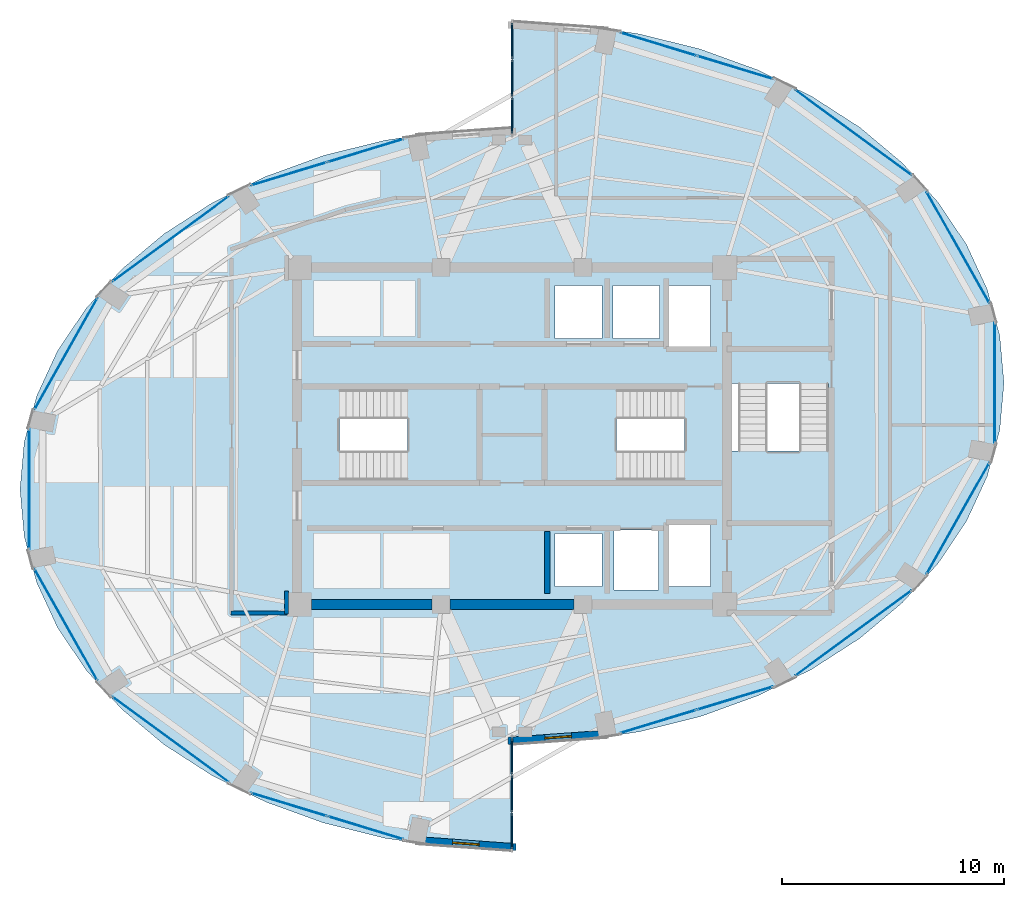
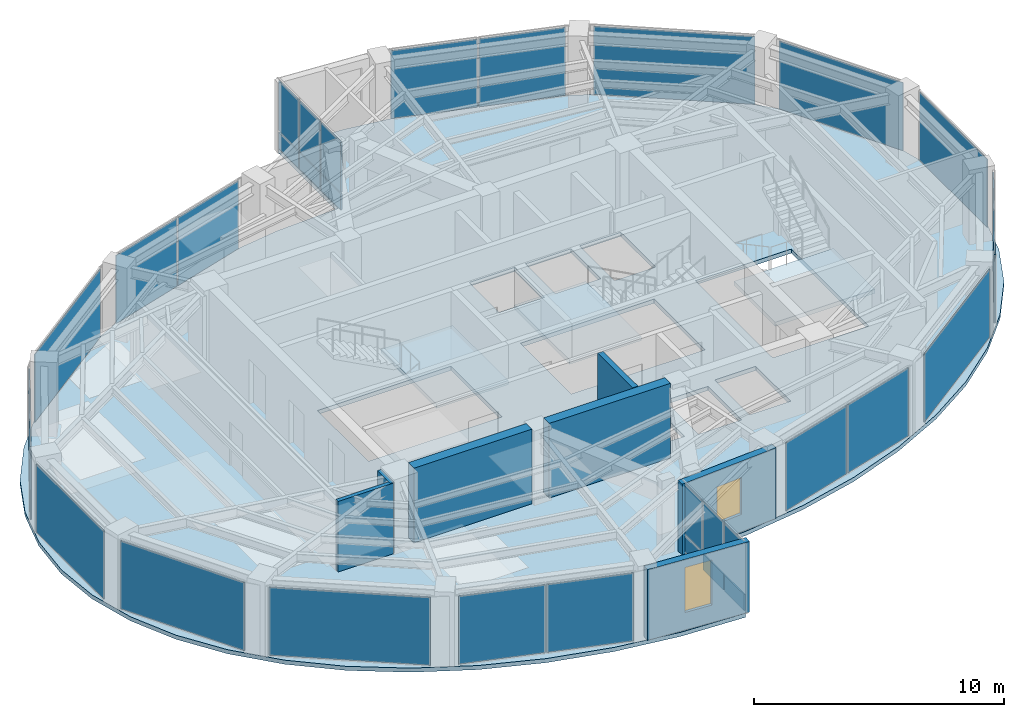
# One storey, part 18 of 22: 30 plates, 7 walls, 4 slabs, 2 windows, 2 openings, 19 elements without a shape of their own.
"""IFC4 building model written with IfcOpenShell, lengths in metres."""

from ifc_helpers import new_model, si_unit, direction, frame, frame_2d, origin, origin_2d, place, context, subcontext, project, spatial, polyline, rectangle, outline, extrude, material, layer, layer_set, type_object, element, fill, aggregate, save


model = new_model("IFC4")

# Units and contexts
model_context = context("Model", 3, precision=1e-05, world=origin(), true_north=direction((0.0, 1.0)))
body_context = subcontext(model_context, "Body", "Model", "MODEL_VIEW")
ifc_project = project(units=[si_unit("LENGTHUNIT", "METRE"), si_unit("AREAUNIT", "SQUARE_METRE"), si_unit("VOLUMEUNIT", "CUBIC_METRE"), si_unit("PLANEANGLEUNIT", "RADIAN"), si_unit("MASSUNIT", "GRAM", prefix="KILO")], contexts=[model_context])

# Site, building, storey
site_placement = place(None, origin())
site = spatial("IfcSite", under=ifc_project, at=site_placement, CompositionType="ELEMENT")
building_placement = place(site_placement, origin())
building = spatial("IfcBuilding", under=site, at=building_placement, Name="Lazwardi Medical Tower", CompositionType="ELEMENT")
storey_placement = place(building_placement, frame((0.0, 0.0, 251.3759765625)))
storey = spatial("IfcBuildingStorey", under=building, at=storey_placement, Name="L65", CompositionType="ELEMENT", Elevation=251.3759765625)

# Curtain wall, plates
ifc_material_1 = material(Name="Anodised bronze aluminium and solar control glazing", Category="aluminium")
ifc_layer_1 = layer(ifc_material_1, 0.18994140625)
ifc_layer_set_1 = layer_set([ifc_layer_1], Name="Anodised bronze aluminium and solar control glazing")
curtain_wall_type_1 = type_object("IfcCurtainWallType", Name="CW-SYS-04", PredefinedType="NOTDEFINED", material=ifc_layer_set_1)
curtain_wall_1_placement = place(storey_placement, origin())
curtain_wall_1 = element("IfcCurtainWall", 1, at=curtain_wall_1_placement, inside=storey, type_object=curtain_wall_type_1, Name="L65 Unitised bronze curtain wall CW-04", PredefinedType="NOTDEFINED")
ifc_material_2 = material(Name="Low-e bronze solar control double glazing", Category="glass")
ifc_layer_2 = layer(ifc_material_2, 0.035888671875)
ifc_layer_set_2 = layer_set([ifc_layer_2], Name="Low-e bronze solar control double glazing")
plate_type_1 = type_object("IfcPlateType", Name="PLT-GLZ-01", PredefinedType="CURTAIN_PANEL", material=ifc_layer_set_2)
plate_1_placement = place(storey_placement, frame((42.604736328125, 15.118896484375, 0.06494140625), z_axis=(0.0, 0.0, 1.0), x_axis=(0.956850126972, 0.290581889515, 0.0)))
plate_1 = element("IfcPlate", 2, at=plate_1_placement, type_object=plate_type_1, Name="CW-04 panel 1.1", PredefinedType="CURTAIN_PANEL", context=body_context, shape_type="SweptSolid", body=[
    extrude(rectangle(XDim=3.554443359375, YDim=0.035888671875, at=origin_2d()), origin(), (0.0, 0.0, 1.0), 3.318115234375),
])
plate_2_placement = place(storey_placement, frame((46.068115234375, 16.170654296875, 0.06494140625), z_axis=(0.0, 0.0, 1.0), x_axis=(0.956850126972, 0.290581889515, 0.0)))
plate_2 = element("IfcPlate", 3, at=plate_2_placement, type_object=plate_type_1, Name="CW-04 panel 2.1", PredefinedType="CURTAIN_PANEL", context=body_context, shape_type="SweptSolid", body=[
    extrude(rectangle(XDim=3.554443359375, YDim=0.035888671875, at=origin_2d()), origin(), (0.0, 0.0, 1.0), 3.318115234375),
])
aggregate(curtain_wall_1, [plate_1, plate_2])

# Curtain wall, plate
curtain_wall_2_placement = place(storey_placement, origin())
curtain_wall_2 = element("IfcCurtainWall", 4, at=curtain_wall_2_placement, inside=storey, type_object=curtain_wall_type_1, Name="L65 Unitised bronze curtain wall CW-04", PredefinedType="NOTDEFINED")
plate_3_placement = place(storey_placement, frame((51.403564453125, 19.106689453125, 0.06494140625), z_axis=(0.0, 0.0, 1.0), x_axis=(0.806474971121, 0.591268230971, 0.0)))
plate_3 = element("IfcPlate", 5, at=plate_3_placement, type_object=plate_type_1, Name="CW-04 panel 1.1", PredefinedType="CURTAIN_PANEL", context=body_context, shape_type="SweptSolid", body=[
    extrude(rectangle(XDim=6.502685546875, YDim=0.035888671875, at=origin_2d()), origin(), (0.0, 0.0, 1.0), 3.318115234375),
])
aggregate(curtain_wall_2, [plate_3])

curtain_wall_3_placement = place(storey_placement, origin())
curtain_wall_3 = element("IfcCurtainWall", 6, at=curtain_wall_3_placement, inside=storey, type_object=curtain_wall_type_1, Name="L65 Unitised bronze curtain wall CW-04", PredefinedType="NOTDEFINED")
plate_4_placement = place(storey_placement, frame((56.125732421875, 24.2880859375, 0.06494140625), z_axis=(0.0, 0.0, 1.0), x_axis=(0.491900474661, 0.870651436011, 0.0)))
plate_4 = element("IfcPlate", 7, at=plate_4_placement, type_object=plate_type_1, Name="CW-04 panel 1.1", PredefinedType="CURTAIN_PANEL", context=body_context, shape_type="SweptSolid", body=[
    extrude(rectangle(XDim=5.755126953125, YDim=0.035888671875, at=origin_2d()), origin(), (0.0, 0.0, 1.0), 3.318115234375),
])
aggregate(curtain_wall_3, [plate_4])

curtain_wall_4_placement = place(storey_placement, origin())
curtain_wall_4 = element("IfcCurtainWall", 8, at=curtain_wall_4_placement, inside=storey, type_object=curtain_wall_type_1, Name="L65 Unitised bronze curtain wall CW-04", PredefinedType="NOTDEFINED")
plate_5_placement = place(storey_placement, frame((57.7841796875, 30.39990234375, 0.06494140625), z_axis=(0.0, 0.0, 1.0), x_axis=(0.0, 1.0, 0.0)))
plate_5 = element("IfcPlate", 9, at=plate_5_placement, type_object=plate_type_1, Name="CW-04 panel 1.1", PredefinedType="CURTAIN_PANEL", context=body_context, shape_type="SweptSolid", body=[
    extrude(rectangle(XDim=5.416015625, YDim=0.035888671875, at=origin_2d()), origin(), (0.0, 0.0, 1.0), 3.318115234375),
])
aggregate(curtain_wall_4, [plate_5])

curtain_wall_5_placement = place(storey_placement, origin())
curtain_wall_5 = element("IfcCurtainWall", 10, at=curtain_wall_5_placement, inside=storey, type_object=curtain_wall_type_1, Name="L65 Unitised bronze curtain wall CW-04", PredefinedType="NOTDEFINED")
plate_6_placement = place(storey_placement, frame((56.125732421875, 36.511962890625, 0.06494140625), z_axis=(0.0, 0.0, 1.0), x_axis=(-0.491900474661, 0.870651436011, 0.0)))
plate_6 = element("IfcPlate", 11, at=plate_6_placement, type_object=plate_type_1, Name="CW-04 panel 1.1", PredefinedType="CURTAIN_PANEL", context=body_context, shape_type="SweptSolid", body=[
    extrude(rectangle(XDim=5.755126953125, YDim=0.035888671875, at=origin_2d()), origin(), (0.0, 0.0, 1.0), 3.318115234375),
])
aggregate(curtain_wall_5, [plate_6])

curtain_wall_6_placement = place(storey_placement, origin())
curtain_wall_6 = element("IfcCurtainWall", 12, at=curtain_wall_6_placement, inside=storey, type_object=curtain_wall_type_1, Name="L65 Unitised bronze curtain wall CW-04", PredefinedType="NOTDEFINED")
plate_7_placement = place(storey_placement, frame((51.403564453125, 41.693359375, 0.06494140625), z_axis=(0.0, 0.0, 1.0), x_axis=(-0.806474971121, 0.591268230971, 0.0)))
plate_7 = element("IfcPlate", 13, at=plate_7_placement, type_object=plate_type_1, Name="CW-04 panel 1.1", PredefinedType="CURTAIN_PANEL", context=body_context, shape_type="SweptSolid", body=[
    extrude(rectangle(XDim=6.502685546875, YDim=0.035888671875, at=origin_2d()), origin(), (0.0, 0.0, 1.0), 3.318115234375),
])
aggregate(curtain_wall_6, [plate_7])

# Curtain wall, plates
curtain_wall_7_placement = place(storey_placement, origin())
curtain_wall_7 = element("IfcCurtainWall", 14, at=curtain_wall_7_placement, inside=storey, type_object=curtain_wall_type_1, Name="L65 Unitised bronze curtain wall CW-04", PredefinedType="NOTDEFINED")
plate_8_placement = place(storey_placement, frame((46.068115234375, 44.62939453125, 0.06494140625), z_axis=(0.0, 0.0, 1.0), x_axis=(-0.956850126972, 0.290581889515, 0.0)))
plate_8 = element("IfcPlate", 15, at=plate_8_placement, type_object=plate_type_1, Name="CW-04 panel 1.1", PredefinedType="CURTAIN_PANEL", context=body_context, shape_type="SweptSolid", body=[
    extrude(rectangle(XDim=3.554443359375, YDim=0.035888671875, at=origin_2d()), origin(), (0.0, 0.0, 1.0), 3.318115234375),
])
plate_9_placement = place(storey_placement, frame((42.604736328125, 45.68115234375, 0.06494140625), z_axis=(0.0, 0.0, 1.0), x_axis=(-0.956850126972, 0.290581889515, 0.0)))
plate_9 = element("IfcPlate", 16, at=plate_9_placement, type_object=plate_type_1, Name="CW-04 panel 2.1", PredefinedType="CURTAIN_PANEL", context=body_context, shape_type="SweptSolid", body=[
    extrude(rectangle(XDim=3.554443359375, YDim=0.035888671875, at=origin_2d()), origin(), (0.0, 0.0, 1.0), 3.318115234375),
])
aggregate(curtain_wall_7, [plate_8, plate_9])

curtain_wall_8_placement = place(storey_placement, origin())
curtain_wall_8 = element("IfcCurtainWall", 17, at=curtain_wall_8_placement, inside=storey, type_object=curtain_wall_type_1, Name="L65 Unitised bronze curtain wall CW-04", PredefinedType="NOTDEFINED")
plate_10_placement = place(storey_placement, frame((29.395263671875, 40.881103515625, 0.06494140625), z_axis=(0.0, 0.0, 1.0), x_axis=(-0.956850126972, -0.290581889515, 0.0)))
plate_10 = element("IfcPlate", 18, at=plate_10_placement, type_object=plate_type_1, Name="CW-04 panel 1.1", PredefinedType="CURTAIN_PANEL", context=body_context, shape_type="SweptSolid", body=[
    extrude(rectangle(XDim=3.554443359375, YDim=0.035888671875, at=origin_2d()), origin(), (0.0, 0.0, 1.0), 3.318115234375),
])
plate_11_placement = place(storey_placement, frame((25.931884765625, 39.829345703125, 0.06494140625), z_axis=(0.0, 0.0, 1.0), x_axis=(-0.956850126972, -0.290581889515, 0.0)))
plate_11 = element("IfcPlate", 19, at=plate_11_placement, type_object=plate_type_1, Name="CW-04 panel 2.1", PredefinedType="CURTAIN_PANEL", context=body_context, shape_type="SweptSolid", body=[
    extrude(rectangle(XDim=3.554443359375, YDim=0.035888671875, at=origin_2d()), origin(), (0.0, 0.0, 1.0), 3.318115234375),
])
aggregate(curtain_wall_8, [plate_10, plate_11])

# Curtain wall, plate
curtain_wall_9_placement = place(storey_placement, origin())
curtain_wall_9 = element("IfcCurtainWall", 20, at=curtain_wall_9_placement, inside=storey, type_object=curtain_wall_type_1, Name="L65 Unitised bronze curtain wall CW-04", PredefinedType="NOTDEFINED")
plate_12_placement = place(storey_placement, frame((20.596435546875, 36.893310546875, 0.06494140625), z_axis=(0.0, 0.0, 1.0), x_axis=(-0.806474971121, -0.591268230971, 0.0)))
plate_12 = element("IfcPlate", 21, at=plate_12_placement, type_object=plate_type_1, Name="CW-04 panel 1.1", PredefinedType="CURTAIN_PANEL", context=body_context, shape_type="SweptSolid", body=[
    extrude(rectangle(XDim=6.502685546875, YDim=0.035888671875, at=origin_2d()), origin(), (0.0, 0.0, 1.0), 3.318115234375),
])
aggregate(curtain_wall_9, [plate_12])

curtain_wall_10_placement = place(storey_placement, origin())
curtain_wall_10 = element("IfcCurtainWall", 22, at=curtain_wall_10_placement, inside=storey, type_object=curtain_wall_type_1, Name="L65 Unitised bronze curtain wall CW-04", PredefinedType="NOTDEFINED")
plate_13_placement = place(storey_placement, frame((15.874267578125, 31.7119140625, 0.06494140625), z_axis=(0.0, 0.0, 1.0), x_axis=(-0.491900474661, -0.870651436011, 0.0)))
plate_13 = element("IfcPlate", 23, at=plate_13_placement, type_object=plate_type_1, Name="CW-04 panel 1.1", PredefinedType="CURTAIN_PANEL", context=body_context, shape_type="SweptSolid", body=[
    extrude(rectangle(XDim=5.755126953125, YDim=0.035888671875, at=origin_2d()), origin(), (0.0, 0.0, 1.0), 3.318115234375),
])
aggregate(curtain_wall_10, [plate_13])

curtain_wall_11_placement = place(storey_placement, origin())
curtain_wall_11 = element("IfcCurtainWall", 24, at=curtain_wall_11_placement, inside=storey, type_object=curtain_wall_type_1, Name="L65 Unitised bronze curtain wall CW-04", PredefinedType="NOTDEFINED")
plate_14_placement = place(storey_placement, frame((14.2158203125, 25.60009765625, 0.06494140625), z_axis=(0.0, 0.0, 1.0), x_axis=(0.0, -1.0, 0.0)))
plate_14 = element("IfcPlate", 25, at=plate_14_placement, type_object=plate_type_1, Name="CW-04 panel 1.1", PredefinedType="CURTAIN_PANEL", context=body_context, shape_type="SweptSolid", body=[
    extrude(rectangle(XDim=5.416015625, YDim=0.035888671875, at=origin_2d()), origin(), (0.0, 0.0, 1.0), 3.318115234375),
])
aggregate(curtain_wall_11, [plate_14])

curtain_wall_12_placement = place(storey_placement, origin())
curtain_wall_12 = element("IfcCurtainWall", 26, at=curtain_wall_12_placement, inside=storey, type_object=curtain_wall_type_1, Name="L65 Unitised bronze curtain wall CW-04", PredefinedType="NOTDEFINED")
plate_15_placement = place(storey_placement, frame((15.874267578125, 19.488037109375, 0.06494140625), z_axis=(0.0, 0.0, 1.0), x_axis=(0.491900474661, -0.870651436011, 0.0)))
plate_15 = element("IfcPlate", 27, at=plate_15_placement, type_object=plate_type_1, Name="CW-04 panel 1.1", PredefinedType="CURTAIN_PANEL", context=body_context, shape_type="SweptSolid", body=[
    extrude(rectangle(XDim=5.755126953125, YDim=0.035888671875, at=origin_2d()), origin(), (0.0, 0.0, 1.0), 3.318115234375),
])
aggregate(curtain_wall_12, [plate_15])

curtain_wall_13_placement = place(storey_placement, origin())
curtain_wall_13 = element("IfcCurtainWall", 28, at=curtain_wall_13_placement, inside=storey, type_object=curtain_wall_type_1, Name="L65 Unitised bronze curtain wall CW-04", PredefinedType="NOTDEFINED")
plate_16_placement = place(storey_placement, frame((20.596435546875, 14.306640625, 0.06494140625), z_axis=(0.0, 0.0, 1.0), x_axis=(0.806474971121, -0.591268230971, 0.0)))
plate_16 = element("IfcPlate", 29, at=plate_16_placement, type_object=plate_type_1, Name="CW-04 panel 1.1", PredefinedType="CURTAIN_PANEL", context=body_context, shape_type="SweptSolid", body=[
    extrude(rectangle(XDim=6.502685546875, YDim=0.035888671875, at=origin_2d()), origin(), (0.0, 0.0, 1.0), 3.318115234375),
])
aggregate(curtain_wall_13, [plate_16])

# Curtain wall, plates
curtain_wall_14_placement = place(storey_placement, origin())
curtain_wall_14 = element("IfcCurtainWall", 30, at=curtain_wall_14_placement, inside=storey, type_object=curtain_wall_type_1, Name="L65 Unitised bronze curtain wall CW-04", PredefinedType="NOTDEFINED")
plate_17_placement = place(storey_placement, frame((25.931884765625, 11.37060546875, 0.06494140625), z_axis=(0.0, 0.0, 1.0), x_axis=(0.956850126972, -0.290581889515, 0.0)))
plate_17 = element("IfcPlate", 31, at=plate_17_placement, type_object=plate_type_1, Name="CW-04 panel 1.1", PredefinedType="CURTAIN_PANEL", context=body_context, shape_type="SweptSolid", body=[
    extrude(rectangle(XDim=3.554443359375, YDim=0.035888671875, at=origin_2d()), origin(), (0.0, 0.0, 1.0), 3.318115234375),
])
plate_18_placement = place(storey_placement, frame((29.395263671875, 10.31884765625, 0.06494140625), z_axis=(0.0, 0.0, 1.0), x_axis=(0.956850126972, -0.290581889515, 0.0)))
plate_18 = element("IfcPlate", 32, at=plate_18_placement, type_object=plate_type_1, Name="CW-04 panel 2.1", PredefinedType="CURTAIN_PANEL", context=body_context, shape_type="SweptSolid", body=[
    extrude(rectangle(XDim=3.554443359375, YDim=0.035888671875, at=origin_2d()), origin(), (0.0, 0.0, 1.0), 3.318115234375),
])
aggregate(curtain_wall_14, [plate_17, plate_18])

ifc_layer_3 = layer(ifc_material_1, 0.2099609375)
ifc_layer_set_3 = layer_set([ifc_layer_3], Name="Anodised bronze aluminium and solar control glazing")
curtain_wall_type_2 = type_object("IfcCurtainWallType", Name="CW-SYS-06", PredefinedType="NOTDEFINED", material=ifc_layer_set_3)
curtain_wall_15_placement = place(storey_placement, origin())
curtain_wall_15 = element("IfcCurtainWall", 33, at=curtain_wall_15_placement, inside=storey, type_object=curtain_wall_type_2, Name="L65 Unitised bronze curtain wall CW-06", PredefinedType="NOTDEFINED")
ifc_material_3 = material(Name="Turquoise glazed ceramic insulated panel", Category="glass")
ifc_layer_4 = layer(ifc_material_3, 0.053955078125)
ifc_layer_set_4 = layer_set([ifc_layer_4], Name="Turquoise glazed ceramic insulated panel")
plate_type_2 = type_object("IfcPlateType", Name="PLT-TRQ-01", PredefinedType="CURTAIN_PANEL", material=ifc_layer_set_4)
plate_19_placement = place(storey_placement, frame((36.0, 45.827880859375, 0.074951171875), z_axis=(0.0, 0.0, 1.0), x_axis=(0.0, -1.0, 0.0)))
plate_19 = element("IfcPlate", 34, at=plate_19_placement, type_object=plate_type_2, Name="CW-06 panel 1.1", PredefinedType="CURTAIN_PANEL", context=body_context, shape_type="SweptSolid", body=[
    extrude(rectangle(XDim=1.59423828125, YDim=0.053955078125, at=origin_2d()), origin(), (0.0, 0.0, 1.0), 0.78759765625),
])
plate_20_placement = place(storey_placement, frame((36.0, 45.827880859375, 0.9375), z_axis=(0.0, 0.0, 1.0), x_axis=(0.0, -1.0, 0.0)))
plate_20 = element("IfcPlate", 35, at=plate_20_placement, type_object=plate_type_2, Name="CW-06 panel 1.2", PredefinedType="CURTAIN_PANEL", context=body_context, shape_type="SweptSolid", body=[
    extrude(rectangle(XDim=1.59423828125, YDim=0.053955078125, at=origin_2d()), origin(), (0.0, 0.0, 1.0), 2.435546875),
])
plate_21_placement = place(storey_placement, frame((36.0, 44.139892578125, 0.074951171875), z_axis=(0.0, 0.0, 1.0), x_axis=(0.0, -1.0, 0.0)))
plate_21 = element("IfcPlate", 36, at=plate_21_placement, type_object=plate_type_2, Name="CW-06 panel 2.1", PredefinedType="CURTAIN_PANEL", context=body_context, shape_type="SweptSolid", body=[
    extrude(rectangle(XDim=1.631591796875, YDim=0.053955078125, at=origin_2d()), origin(), (0.0, 0.0, 1.0), 0.78759765625),
])
plate_22_placement = place(storey_placement, frame((36.0, 44.139892578125, 0.9375), z_axis=(0.0, 0.0, 1.0), x_axis=(0.0, -1.0, 0.0)))
plate_22 = element("IfcPlate", 37, at=plate_22_placement, type_object=plate_type_2, Name="CW-06 panel 2.2", PredefinedType="CURTAIN_PANEL", context=body_context, shape_type="SweptSolid", body=[
    extrude(rectangle(XDim=1.631591796875, YDim=0.053955078125, at=origin_2d()), origin(), (0.0, 0.0, 1.0), 2.435546875),
])
plate_23_placement = place(storey_placement, frame((36.0, 42.4521484375, 0.074951171875), z_axis=(0.0, 0.0, 1.0), x_axis=(0.0, -1.0, 0.0)))
plate_23 = element("IfcPlate", 38, at=plate_23_placement, type_object=plate_type_2, Name="CW-06 panel 3.1", PredefinedType="CURTAIN_PANEL", context=body_context, shape_type="SweptSolid", body=[
    extrude(rectangle(XDim=1.59423828125, YDim=0.053955078125, at=origin_2d()), origin(), (0.0, 0.0, 1.0), 0.78759765625),
])
plate_24_placement = place(storey_placement, frame((36.0, 42.4521484375, 0.9375), z_axis=(0.0, 0.0, 1.0), x_axis=(0.0, -1.0, 0.0)))
plate_24 = element("IfcPlate", 39, at=plate_24_placement, type_object=plate_type_2, Name="CW-06 panel 3.2", PredefinedType="CURTAIN_PANEL", context=body_context, shape_type="SweptSolid", body=[
    extrude(rectangle(XDim=1.59423828125, YDim=0.053955078125, at=origin_2d()), origin(), (0.0, 0.0, 1.0), 2.435546875),
])
aggregate(curtain_wall_15, [plate_19, plate_20, plate_21, plate_22, plate_23, plate_24])

curtain_wall_16_placement = place(storey_placement, origin())
curtain_wall_16 = element("IfcCurtainWall", 40, at=curtain_wall_16_placement, inside=storey, type_object=curtain_wall_type_2, Name="L65 Unitised bronze curtain wall CW-06", PredefinedType="NOTDEFINED")
plate_25_placement = place(storey_placement, frame((36.0, 10.172119140625, 0.074951171875), z_axis=(0.0, 0.0, 1.0), x_axis=(0.0, 1.0, 0.0)))
plate_25 = element("IfcPlate", 41, at=plate_25_placement, type_object=plate_type_2, Name="CW-06 panel 1.1", PredefinedType="CURTAIN_PANEL", context=body_context, shape_type="SweptSolid", body=[
    extrude(rectangle(XDim=1.59423828125, YDim=0.053955078125, at=origin_2d()), origin(), (0.0, 0.0, 1.0), 0.78759765625),
])
plate_26_placement = place(storey_placement, frame((36.0, 10.172119140625, 0.9375), z_axis=(0.0, 0.0, 1.0), x_axis=(0.0, 1.0, 0.0)))
plate_26 = element("IfcPlate", 42, at=plate_26_placement, type_object=plate_type_2, Name="CW-06 panel 1.2", PredefinedType="CURTAIN_PANEL", context=body_context, shape_type="SweptSolid", body=[
    extrude(rectangle(XDim=1.59423828125, YDim=0.053955078125, at=origin_2d()), origin(), (0.0, 0.0, 1.0), 2.435546875),
])
plate_27_placement = place(storey_placement, frame((36.0, 11.860107421875, 0.074951171875), z_axis=(0.0, 0.0, 1.0), x_axis=(0.0, 1.0, 0.0)))
plate_27 = element("IfcPlate", 43, at=plate_27_placement, type_object=plate_type_2, Name="CW-06 panel 2.1", PredefinedType="CURTAIN_PANEL", context=body_context, shape_type="SweptSolid", body=[
    extrude(rectangle(XDim=1.631591796875, YDim=0.053955078125, at=origin_2d()), origin(), (0.0, 0.0, 1.0), 0.78759765625),
])
plate_28_placement = place(storey_placement, frame((36.0, 11.860107421875, 0.9375), z_axis=(0.0, 0.0, 1.0), x_axis=(0.0, 1.0, 0.0)))
plate_28 = element("IfcPlate", 44, at=plate_28_placement, type_object=plate_type_2, Name="CW-06 panel 2.2", PredefinedType="CURTAIN_PANEL", context=body_context, shape_type="SweptSolid", body=[
    extrude(rectangle(XDim=1.631591796875, YDim=0.053955078125, at=origin_2d()), origin(), (0.0, 0.0, 1.0), 2.435546875),
])
plate_29_placement = place(storey_placement, frame((36.0, 13.5478515625, 0.074951171875), z_axis=(0.0, 0.0, 1.0), x_axis=(0.0, 1.0, 0.0)))
plate_29 = element("IfcPlate", 45, at=plate_29_placement, type_object=plate_type_2, Name="CW-06 panel 3.1", PredefinedType="CURTAIN_PANEL", context=body_context, shape_type="SweptSolid", body=[
    extrude(rectangle(XDim=1.59423828125, YDim=0.053955078125, at=origin_2d()), origin(), (0.0, 0.0, 1.0), 0.78759765625),
])
plate_30_placement = place(storey_placement, frame((36.0, 13.5478515625, 0.9375), z_axis=(0.0, 0.0, 1.0), x_axis=(0.0, 1.0, 0.0)))
plate_30 = element("IfcPlate", 46, at=plate_30_placement, type_object=plate_type_2, Name="CW-06 panel 3.2", PredefinedType="CURTAIN_PANEL", context=body_context, shape_type="SweptSolid", body=[
    extrude(rectangle(XDim=1.59423828125, YDim=0.053955078125, at=origin_2d()), origin(), (0.0, 0.0, 1.0), 2.435546875),
])
aggregate(curtain_wall_16, [plate_25, plate_26, plate_27, plate_28, plate_29, plate_30])

# Stair, slab
ifc_material_4 = material(Name="Concrete C45/55", Category="concrete")
stair_type = type_object("IfcStairType", Name="STR-WRD", PredefinedType="HALF_TURN_STAIR", material=ifc_material_4)
stair_1_placement = place(storey_placement, origin())
stair_1 = element("IfcStair", 47, at=stair_1_placement, inside=storey, type_object=stair_type, Name="L65 Protected Exit Stair ST1", PredefinedType="HALF_TURN_STAIR")
ifc_layer_5 = layer(ifc_material_4, 0.199951171875)
ifc_layer_set_5 = layer_set([ifc_layer_5], Name="Concrete C45/55")
slab_type_1 = type_object("IfcSlabType", Name="SLB-LND-190", PredefinedType="LANDING", material=ifc_layer_set_5)
slab_1_placement = place(storey_placement, frame((0.0, 0.0, 1.6240234375)))
slab_1 = element("IfcSlab", 48, at=slab_1_placement, type_object=slab_type_1, Name="ST1 landing 1", PredefinedType="LANDING", context=body_context, shape_type="SweptSolid", body=[
    extrude(outline(polyline([(31.27490234375, 25.840087890625), (34.580078125, 25.840087890625), (34.580078125, 30.280029296875), (31.27490234375, 30.280029296875), (31.27490234375, 25.840087890625)])), origin(), (0.0, 0.0, 1.0), 0.199951171875),
])
aggregate(stair_1, [slab_1])

stair_2_placement = place(storey_placement, origin())
stair_2 = element("IfcStair", 49, at=stair_2_placement, inside=storey, type_object=stair_type, Name="L65 Protected Exit Stair ST2", PredefinedType="HALF_TURN_STAIR")
slab_2_placement = place(storey_placement, frame((0.0, 0.0, 1.6240234375)))
slab_2 = element("IfcSlab", 50, at=slab_2_placement, type_object=slab_type_1, Name="ST2 landing 1", PredefinedType="LANDING", context=body_context, shape_type="SweptSolid", body=[
    extrude(outline(polyline([(40.72509765625, 30.280029296875), (37.419921875, 30.280029296875), (37.419921875, 25.840087890625), (40.72509765625, 25.840087890625), (40.72509765625, 30.280029296875)])), origin(), (0.0, 0.0, 1.0), 0.199951171875),
])
aggregate(stair_2, [slab_2])

stair_3_placement = place(storey_placement, origin())
stair_3 = element("IfcStair", 51, at=stair_3_placement, inside=storey, type_object=stair_type, Name="L65 Protected Exit Stair ST3", PredefinedType="HALF_TURN_STAIR")
slab_3_placement = place(storey_placement, frame((0.0, 0.0, 1.6240234375)))
slab_3 = element("IfcSlab", 52, at=slab_3_placement, type_object=slab_type_1, Name="ST3 landing 1", PredefinedType="LANDING", context=body_context, shape_type="SweptSolid", body=[
    extrude(outline(polyline([(45.860107421875, 27.324951171875), (45.860107421875, 24.02001953125), (50.4599609375, 24.02001953125), (50.4599609375, 27.324951171875), (45.860107421875, 27.324951171875)])), origin(), (0.0, 0.0, 1.0), 0.199951171875),
])
aggregate(stair_3, [slab_3])

# Slab
ifc_material_5 = material(Name="Concrete C50/60", Category="concrete")
ifc_layer_6 = layer(ifc_material_5, 0.199951171875)
ifc_layer_set_6 = layer_set([ifc_layer_6], Name="Concrete C50/60")
slab_type_2 = type_object("IfcSlabType", Name="SLB-UPP-200", PredefinedType="FLOOR", material=ifc_layer_set_6)
slab_4_placement = place(storey_placement, frame((0.0, 0.0, -0.199951171875)))
element("IfcSlab", 53, at=slab_4_placement, inside=storey, type_object=slab_type_2, Name="Structural floor slab SF-04 L65", PredefinedType="FLOOR", context=body_context, shape_type="SweptSolid", body=[
    extrude(outline(polyline([(18.3876953125, 15.67724609375), (20.30224609375, 14.07421875), (22.485595703125, 12.668212890625), (24.89990234375, 11.48388671875), (27.50439453125, 10.540771484375), (30.254150390625, 9.85546875), (33.102294921875, 9.439453125), (36.0, 9.300048828125), (36.0, 14.10009765625), (38.897705078125, 14.239501953125), (41.745849609375, 14.655517578125), (44.49560546875, 15.3408203125), (47.10009765625, 16.28369140625), (49.514404296875, 17.46826171875), (51.69775390625, 18.874267578125), (53.6123046875, 20.477294921875), (55.225830078125, 22.25), (56.510009765625, 24.162353515625), (57.443603515625, 26.18115234375), (58.010009765625, 28.2724609375), (58.199951171875, 30.39990234375), (58.010009765625, 32.527587890625), (57.443603515625, 34.618896484375), (56.510009765625, 36.6376953125), (55.225830078125, 38.550048828125), (53.6123046875, 40.32275390625), (51.69775390625, 41.92578125), (49.514404296875, 43.331787109375), (47.10009765625, 44.51611328125), (44.49560546875, 45.459228515625), (41.745849609375, 46.14453125), (38.897705078125, 46.560546875), (36.0, 46.699951171875), (36.0, 41.89990234375), (33.102294921875, 41.760498046875), (30.254150390625, 41.344482421875), (27.50439453125, 40.6591796875), (24.89990234375, 39.71630859375), (22.485595703125, 38.53173828125), (20.30224609375, 37.125732421875), (18.3876953125, 35.522705078125), (16.774169921875, 33.75), (15.489990234375, 31.837646484375), (14.556396484375, 29.81884765625), (13.989990234375, 27.7275390625), (13.800048828125, 25.60009765625), (13.989990234375, 23.472412109375), (14.556396484375, 21.381103515625), (15.489990234375, 19.3623046875), (16.774169921875, 17.449951171875), (18.3876953125, 15.67724609375)]), holes=[polyline([(28.22509765625, 26.02001953125), (28.22509765625, 30.10009765625), (34.39990234375, 30.10009765625), (34.39990234375, 26.02001953125), (28.22509765625, 26.02001953125)]), polyline([(37.60009765625, 30.10009765625), (43.77490234375, 30.10009765625), (43.77490234375, 26.02001953125), (37.60009765625, 26.02001953125), (37.60009765625, 30.10009765625)]), polyline([(50.280029296875, 30.375), (50.280029296875, 24.179931640625), (45.840087890625, 24.179931640625), (45.840087890625, 30.375), (50.280029296875, 30.375)]), polyline([(40.050048828125, 32.39990234375), (37.949951171875, 32.39990234375), (37.949951171875, 34.800048828125), (40.050048828125, 34.800048828125), (40.050048828125, 32.39990234375)]), polyline([(40.550048828125, 32.39990234375), (40.550048828125, 34.800048828125), (42.64990234375, 34.800048828125), (42.64990234375, 32.39990234375), (40.550048828125, 32.39990234375)]), polyline([(37.949951171875, 23.60009765625), (40.050048828125, 23.60009765625), (40.050048828125, 21.199951171875), (37.949951171875, 21.199951171875), (37.949951171875, 23.60009765625)]), polyline([(44.949951171875, 34.800048828125), (44.949951171875, 32.0), (43.050048828125, 32.0), (43.050048828125, 34.800048828125), (44.949951171875, 34.800048828125)]), polyline([(44.949951171875, 21.199951171875), (43.050048828125, 21.199951171875), (43.050048828125, 24.0), (44.949951171875, 24.0), (44.949951171875, 21.199951171875)]), polyline([(40.60009765625, 21.050048828125), (40.60009765625, 23.75), (42.60009765625, 23.75), (42.60009765625, 21.050048828125), (40.60009765625, 21.050048828125)])]), origin(), (0.0, 0.0, 1.0), 0.199951171875),
])

# Walls
ifc_material_6 = material(Name="Fire-rated gypsum board on steel stud", Category="steel")
ifc_layer_7 = layer(ifc_material_6, 0.179931640625)
ifc_layer_set_7 = layer_set([ifc_layer_7], Name="Fire-rated gypsum board on steel stud")
wall_type_1 = type_object("IfcWallType", Name="WL-COR-180", PredefinedType="PARTITIONING", material=ifc_layer_set_7)
wall_1_placement = place(storey_placement, frame((25.830078125, 21.010009765625, 0.0), z_axis=(0.0, 0.0, 1.0), x_axis=(0.0, -1.0, 0.0)))
element("IfcWall", 54, at=wall_1_placement, inside=storey, type_object=wall_type_1, Name="L65 Corridor partition 8", PredefinedType="PARTITIONING", context=body_context, shape_type="SweptSolid", body=[
    extrude(rectangle(XDim=1.030029296875, YDim=0.179931640625, at=frame_2d((0.51513671875, 0.0))), origin(), (0.0, 0.0, 1.0), 3.447998046875),
])
wall_2_placement = place(storey_placement, frame((25.8701171875, 20.02001953125, 0.0), z_axis=(0.0, 0.0, 1.0), x_axis=(-1.0, 0.0, 0.0)))
element("IfcWall", 55, at=wall_2_placement, inside=storey, type_object=wall_type_1, Name="L65 Corridor partition 9", PredefinedType="PARTITIONING", context=body_context, shape_type="SweptSolid", body=[
    extrude(rectangle(XDim=2.56005859375, YDim=0.179931640625, at=frame_2d((1.280029296875, 0.0))), origin(), (0.0, 0.0, 1.0), 3.447998046875),
])
ifc_material_7 = material(Name="Concrete C60/75", Category="concrete")
ifc_layer_8 = layer(ifc_material_7, 0.449951171875)
ifc_layer_set_8 = layer_set([ifc_layer_8], Name="Concrete C60/75")
wall_type_2 = type_object("IfcWallType", Name="WL-CORE-450", PredefinedType="SHEAR", material=ifc_layer_set_8)
wall_3_placement = place(storey_placement, frame((26.949951171875, 20.39990234375, 0.0), z_axis=(0.0, 0.0, 1.0), x_axis=(1.0, 0.0, 0.0)))
element("IfcWall", 56, at=wall_3_placement, inside=storey, type_object=wall_type_2, Name="Core wall CW-S4 S1 L65", PredefinedType="SHEAR", context=body_context, shape_type="SweptSolid", body=[
    extrude(rectangle(XDim=5.449951171875, YDim=0.449951171875, at=frame_2d((2.72509765625, 0.0))), origin(), (0.0, 0.0, 1.0), 3.64794921875),
])
wall_4_placement = place(storey_placement, frame((33.199951171875, 20.39990234375, 0.0), z_axis=(0.0, 0.0, 1.0), x_axis=(1.0, 0.0, 0.0)))
element("IfcWall", 57, at=wall_4_placement, inside=storey, type_object=wall_type_2, Name="Core wall CW-S4 S2 L65", PredefinedType="SHEAR", context=body_context, shape_type="SweptSolid", body=[
    extrude(rectangle(XDim=5.60009765625, YDim=0.449951171875, at=frame_2d((2.800048828125, 0.0))), origin(), (0.0, 0.0, 1.0), 3.64794921875),
])

# Wall, opening, window
ifc_material_8 = material(Name="Precast concrete C45/55", Category="concrete")
ifc_layer_9 = layer(ifc_material_8, 0.320068359375)
ifc_layer_set_9 = layer_set([ifc_layer_9], Name="Precast concrete C45/55")
wall_type_3 = type_object("IfcWallType", Name="WL-IWAN-320", PredefinedType="SOLIDWALL", material=ifc_layer_set_9)
wall_5_placement = place(storey_placement, frame((35.820556640625, 14.2470703125, 0.0), z_axis=(0.0, 0.0, 1.0), x_axis=(0.997409061056, 0.071938619141, 0.0)))
wall_5 = element("IfcWall", 58, at=wall_5_placement, inside=storey, type_object=wall_type_3, Name="L65 Iwan Portal Return Wall SE_ret", PredefinedType="SOLIDWALL", context=body_context, shape_type="SweptSolid", body=[
    extrude(rectangle(XDim=4.540771484375, YDim=0.320068359375, at=frame_2d((2.2705078125, 0.0))), origin(), (0.0, 0.0, 1.0), 3.447998046875),
])
opening_1_placement = place(wall_5_placement, frame((1.67041015625, 0.0, 0.85009765625)))
opening_1 = element("IfcOpeningElement", 59, at=opening_1_placement, cuts=wall_5, Name="Opening WN-04", PredefinedType="OPENING", context=body_context, shape_type="SweptSolid", body=[
    extrude(rectangle(XDim=1.199951171875, YDim=1.800048828125, at=frame_2d((0.60009765625, 0.89990234375))), frame((0.0, 0.169921875, 0.0), z_axis=(0.0, -1.0, 0.0), x_axis=(1.0, 0.0, 0.0)), (0.0, 0.0, 1.0), 0.340087890625),
])
window_type_1 = type_object("IfcWindowType", Name="WIN-DRUM-1200", PartitioningType="SINGLE_PANEL", PredefinedType="WINDOW", material=ifc_material_2)
window_1_placement = place(opening_1_placement, origin())
window_1 = element("IfcWindow", 60, at=window_1_placement, inside=storey, type_object=window_type_1, Name="L65 Iwan Slot Window SE_ret", OverallHeight=1.800048828125, OverallWidth=1.199951171875, PartitioningType="SINGLE_PANEL", PredefinedType="WINDOW", context=body_context, shape_type="SweptSolid", body=[
    extrude(rectangle(XDim=1.199951171875, YDim=1.800048828125, at=frame_2d((0.60009765625, 0.89990234375))), frame((0.0, 0.030029296875, 0.0), z_axis=(0.0, -1.0, 0.0), x_axis=(1.0, 0.0, 0.0)), (0.0, 0.0, 1.0), 0.06005859375),
])
fill(opening_1, window_1)

wall_6_placement = place(storey_placement, frame((31.650390625, 9.773681640625, 0.0), z_axis=(0.0, 0.0, 1.0), x_axis=(0.997408782787, -0.071942477163, 0.0)))
wall_6 = element("IfcWall", 61, at=wall_6_placement, inside=storey, type_object=wall_type_3, Name="L65 Iwan Portal Return Wall SW_ret", PredefinedType="SOLIDWALL", context=body_context, shape_type="SweptSolid", body=[
    extrude(rectangle(XDim=4.54052734375, YDim=0.320068359375, at=frame_2d((2.270263671875, 0.0))), origin(), (0.0, 0.0, 1.0), 3.447998046875),
])
opening_2_placement = place(wall_6_placement, frame((1.67041015625, 0.0, 0.85009765625)))
opening_2 = element("IfcOpeningElement", 62, at=opening_2_placement, cuts=wall_6, Name="Opening WN-01", PredefinedType="OPENING", context=body_context, shape_type="SweptSolid", body=[
    extrude(rectangle(XDim=1.199951171875, YDim=2.199951171875, at=frame_2d((0.60009765625, 1.10009765625))), frame((0.0, 0.169921875, 0.0), z_axis=(0.0, -1.0, 0.0), x_axis=(1.0, 0.0, 0.0)), (0.0, 0.0, 1.0), 0.340087890625),
])
window_type_2 = type_object("IfcWindowType", Name="WIN-IW-1200", PartitioningType="SINGLE_PANEL", PredefinedType="WINDOW", material=ifc_material_2)
window_2_placement = place(opening_2_placement, origin())
window_2 = element("IfcWindow", 63, at=window_2_placement, inside=storey, type_object=window_type_2, Name="L65 Iwan Slot Window SW_ret", OverallHeight=2.199951171875, OverallWidth=1.199951171875, PartitioningType="SINGLE_PANEL", PredefinedType="WINDOW", context=body_context, shape_type="SweptSolid", body=[
    extrude(rectangle(XDim=1.199951171875, YDim=2.199951171875, at=frame_2d((0.60009765625, 1.10009765625))), frame((0.0, 0.030029296875, 0.0), z_axis=(0.0, -1.0, 0.0), x_axis=(1.0, 0.0, 0.0)), (0.0, 0.0, 1.0), 0.06005859375),
])
fill(opening_2, window_2)

# Wall
ifc_material_9 = material(Name="Autoclaved aerated concrete blockwork", Category="masonry")
ifc_layer_10 = layer(ifc_material_9, 0.25)
ifc_layer_set_10 = layer_set([ifc_layer_10], Name="Autoclaved aerated concrete blockwork")
wall_type_4 = type_object("IfcWallType", Name="WL-SHAFT-250", PredefinedType="SOLIDWALL", material=ifc_layer_set_10)
wall_7_placement = place(storey_placement, frame((37.60009765625, 20.89990234375, 0.0), z_axis=(0.0, 0.0, 1.0), x_axis=(0.0, 1.0, 0.0)))
element("IfcWall", 64, at=wall_7_placement, inside=storey, type_object=wall_type_4, Name="L65 South hoistway divider", PredefinedType="SOLIDWALL", context=body_context, shape_type="SweptSolid", body=[
    extrude(rectangle(XDim=2.800048828125, YDim=0.25, at=frame_2d((1.39990234375, 0.0))), origin(), (0.0, 0.0, 1.0), 3.447998046875),
])

save(model, "model.ifc")
